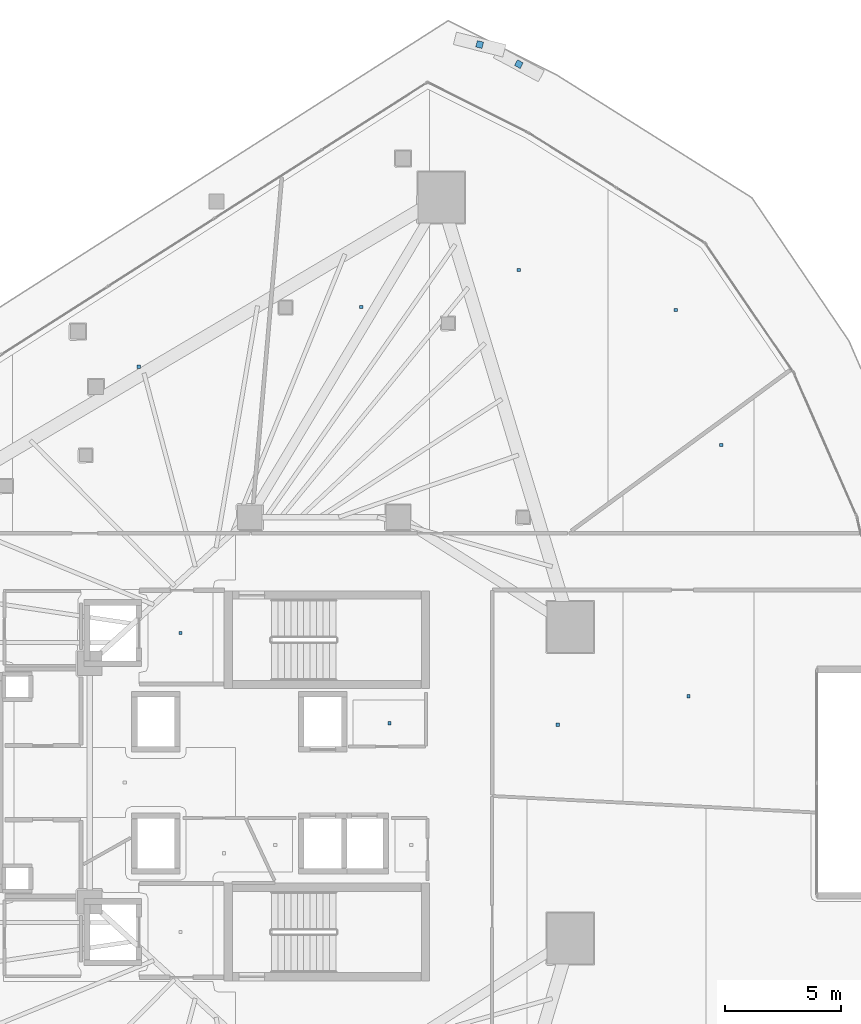
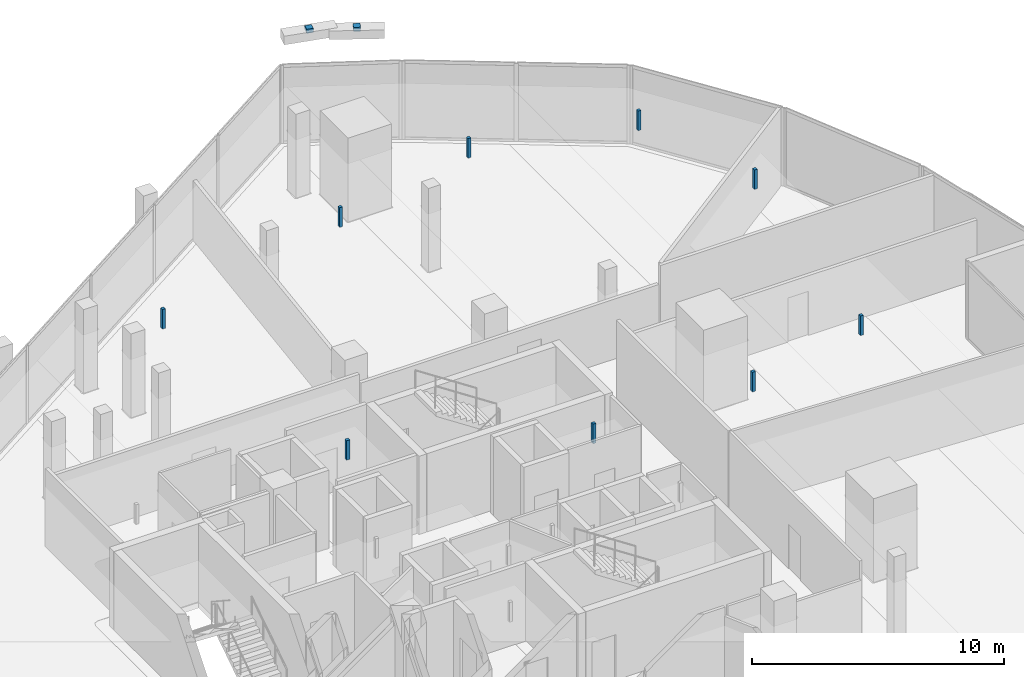
# One storey, part 30 of 38: 11 discrete accessories.
"""IFC4 building model written with IfcOpenShell, lengths in metres."""

from ifc_helpers import new_model, si_unit, direction, frame, origin, origin_2d, place, context, subcontext, project, spatial, rectangle, extrude, material, type_object, element, save


model = new_model("IFC4")

# Units and contexts
model_context = context("Model", 3, precision=1e-05, world=origin(), true_north=direction((0.0, 1.0)))
body_context = subcontext(model_context, "Body", "Model", "MODEL_VIEW")
ifc_project = project(units=[si_unit("LENGTHUNIT", "METRE"), si_unit("AREAUNIT", "SQUARE_METRE"), si_unit("VOLUMEUNIT", "CUBIC_METRE"), si_unit("PLANEANGLEUNIT", "RADIAN"), si_unit("MASSUNIT", "GRAM", prefix="KILO")], contexts=[model_context])

# Site, building, storey
site_placement = place(None, origin())
site = spatial("IfcSite", under=ifc_project, at=site_placement, CompositionType="ELEMENT")
building_placement = place(site_placement, origin())
building = spatial("IfcBuilding", under=site, at=building_placement, Name="Qorvath Tower", CompositionType="ELEMENT")
storey_placement = place(building_placement, frame((0.0, 0.0, 134.10009765625)))
storey = spatial("IfcBuildingStorey", under=building, at=storey_placement, Name="L30", CompositionType="ELEMENT", Elevation=134.10009765625)

# Discrete accessories
ifc_material = material(Name="Galvanised steel bracket", Category="steel")
discrete_accessory_type = type_object("IfcDiscreteAccessoryType", Name="DA-BRACKET", PredefinedType="BRACKET", material=ifc_material)
for number, where, z_axis, x_axis, name in (
    (1, (-11.99072265625, 30.99267578125, 3.6396484375), (0.0, 0.0, 1.0), (-0.881876832336, 0.471479853853, 0.0), "Louvre Wave Support Bracket L30-05"),
    (2, (-13.681640625, 31.838134765625, 3.6396484375), (0.0, 0.0, 1.0), (-0.968962684442, 0.247207030964, 0.0), "Louvre Wave Support Bracket L30-06"),
):
    element("IfcDiscreteAccessory", number, at=place(storey_placement, frame(where, z_axis=z_axis, x_axis=x_axis)), inside=storey, type_object=discrete_accessory_type, Name=name, PredefinedType="NOTDEFINED", context=body_context, shape_type="SweptSolid", body=[
        extrude(rectangle(XDim=0.280029296875, YDim=0.280029296875, at=origin_2d()), origin(), (0.0, 0.0, 1.0), 0.199951171875),
    ])
for number, where, z_axis, x_axis, name in (
    (3, (-26.590087890625, 6.449951171875, 2.85986328125), (0.0, 0.0, 1.0), (1.0, 0.0, 0.0), "Acoustic Ceiling Suspension Hanger T1-L30-001"),
    (4, (-17.572509765625, 2.5625, 2.85986328125), (0.0, 0.0, 1.0), (1.0, 0.0, 0.0), "Acoustic Ceiling Suspension Hanger T1-L30-003"),
    (5, (-28.38671875, 17.943359375, 2.85986328125), (0.0, 0.0, 1.0), (1.0, 0.0, 0.0), "Acoustic Ceiling Suspension Hanger T1-L30-013"),
    (6, (-10.314697265625, 2.497802734375, 2.85986328125), (0.0, 0.0, 1.0), (1.0, 0.0, 0.0), "Acoustic Ceiling Suspension Hanger T1-L30-023"),
    (7, (-4.669921875, 3.72705078125, 2.85986328125), (0.0, 0.0, 1.0), (1.0, 0.0, 0.0), "Acoustic Ceiling Suspension Hanger T1-L30-024"),
    (8, (-3.2587890625, 14.566650390625, 2.85986328125), (0.0, 0.0, 1.0), (1.0, 0.0, 0.0), "Acoustic Ceiling Suspension Hanger T1-L30-025"),
    (9, (-18.791015625, 20.51611328125, 2.85986328125), (0.0, 0.0, 1.0), (1.0, 0.0, 0.0), "Acoustic Ceiling Suspension Hanger T1-L30-026"),
    (10, (-11.99658203125, 22.113037109375, 2.85986328125), (0.0, 0.0, 1.0), (1.0, 0.0, 0.0), "Acoustic Ceiling Suspension Hanger T1-L30-027"),
    (11, (-5.217529296875, 20.3837890625, 2.85986328125), (0.0, 0.0, 1.0), (1.0, 0.0, 0.0), "Acoustic Ceiling Suspension Hanger T1-L30-028"),
):
    element("IfcDiscreteAccessory", number, at=place(storey_placement, frame(where, z_axis=z_axis, x_axis=x_axis)), inside=storey, type_object=discrete_accessory_type, Name=name, PredefinedType="NOTDEFINED", context=body_context, shape_type="SweptSolid", body=[
        extrude(rectangle(XDim=0.139892578125, YDim=0.139892578125, at=origin_2d()), origin(), (0.0, 0.0, 1.0), 0.949951171875),
    ])

save(model, "model.ifc")
